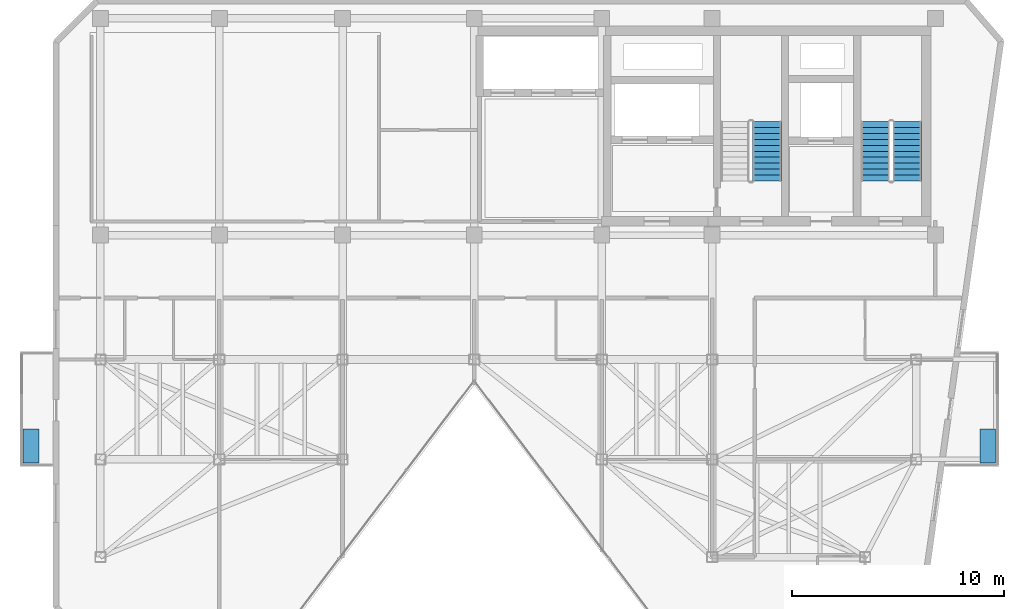
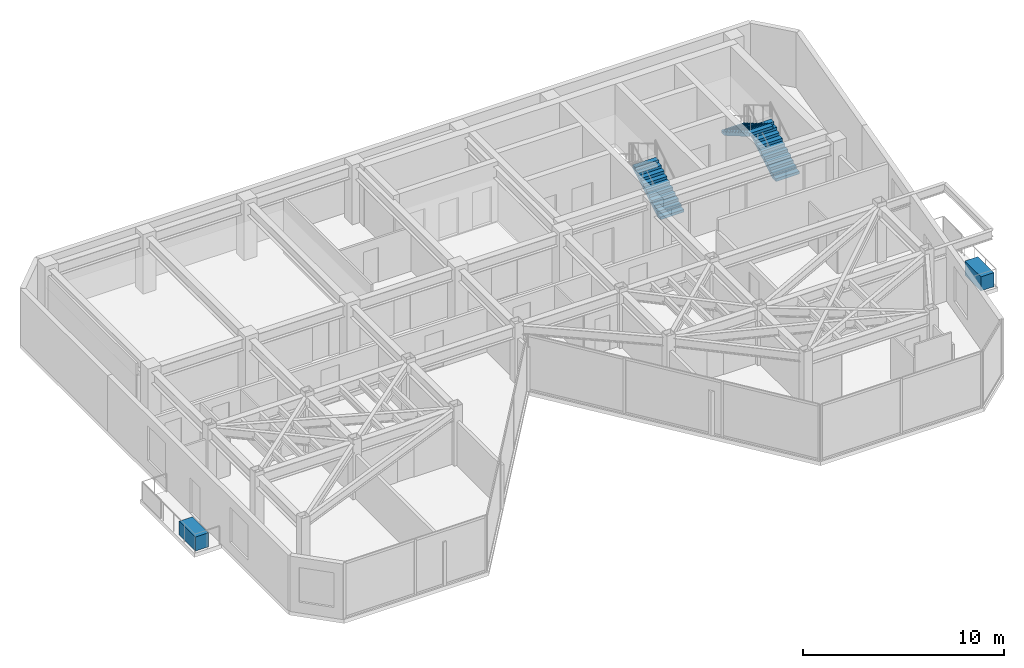
# One storey, part 15 of 17: 3 stair flights, 2 discrete accessories, 2 elements without a shape of their own.
"""IFC4 building model written with IfcOpenShell, lengths in metres."""

from ifc_helpers import new_model, si_unit, direction, frame, origin, origin_2d, place, context, subcontext, project, spatial, polyline, rectangle, outline, extrude, material, layer, layer_set, type_object, element, aggregate, save


model = new_model("IFC4")

# Units and contexts
model_context = context("Model", 3, precision=1e-05, world=origin(), true_north=direction((0.0, 1.0)))
body_context = subcontext(model_context, "Body", "Model", "MODEL_VIEW")
ifc_project = project(units=[si_unit("LENGTHUNIT", "METRE"), si_unit("AREAUNIT", "SQUARE_METRE"), si_unit("VOLUMEUNIT", "CUBIC_METRE"), si_unit("PLANEANGLEUNIT", "RADIAN"), si_unit("MASSUNIT", "GRAM", prefix="KILO")], contexts=[model_context])

# Site, building, storey
site_placement = place(None, origin())
site = spatial("IfcSite", under=ifc_project, at=site_placement, CompositionType="ELEMENT")
building_placement = place(site_placement, origin())
building = spatial("IfcBuilding", under=site, at=building_placement, Name="Kravanh Interchange Tower", CompositionType="ELEMENT")
storey_placement = place(building_placement, frame((0.0, 0.0, 256.199951171875)))
storey = spatial("IfcBuildingStorey", under=building, at=storey_placement, Name="L62", CompositionType="ELEMENT", Elevation=256.199951171875)

# Stair, stair flights
ifc_material_1 = material(Name="Concrete C50/60", Category="concrete")
stair_type = type_object("IfcStairType", Name="Core Fire Exit Dogleg Stair Concrete C50/60", PredefinedType="HALF_TURN_STAIR", material=ifc_material_1)
stair_1_placement = place(storey_placement, origin())
stair_1 = element("IfcStair", 1, at=stair_1_placement, inside=storey, type_object=stair_type, Name="L62 Exit Stair ST1", PredefinedType="HALF_TURN_STAIR")
ifc_material_2 = material(Name="Precast Concrete C50/60", Category="concrete")
ifc_layer = layer(ifc_material_2, 0.199951171875)
ifc_layer_set = layer_set([ifc_layer], Name="Precast Concrete C50/60 Stair Flight 1350mm")
stair_flight_type = type_object("IfcStairFlightType", Name="Precast Concrete C50/60 Stair Flight 1350mm", PredefinedType="STRAIGHT", material=ifc_layer_set)
stair_flight_1_placement = place(storey_placement, frame((65.175048828125, 39.89990234375, 0.0), z_axis=(0.0, 0.0, 1.0), x_axis=(0.0, 1.0, 0.0)))
stair_flight_1 = element("IfcStairFlight", 2, at=stair_flight_1_placement, type_object=stair_flight_type, Name="ST1 flight 1", NumberOfRisers=11, NumberOfTreads=10, PredefinedType="STRAIGHT", RiserHeight=0.163636364, TreadLength=0.28, context=body_context, shape_type="SweptSolid", body=[
    extrude(outline(polyline([(0.0, 0.0), (0.0, 0.16357421875), (0.280029296875, 0.16357421875), (0.280029296875, 0.327392578125), (0.56005859375, 0.327392578125), (0.56005859375, 0.490966796875), (0.840087890625, 0.490966796875), (0.840087890625, 0.654541015625), (1.1201171875, 0.654541015625), (1.1201171875, 0.818115234375), (1.39990234375, 0.818115234375), (1.39990234375, 0.98193359375), (1.679931640625, 0.98193359375), (1.679931640625, 1.1455078125), (1.9599609375, 1.1455078125), (1.9599609375, 1.30908203125), (2.239990234375, 1.30908203125), (2.239990234375, 1.47265625), (2.52001953125, 1.47265625), (2.52001953125, 1.636474609375), (2.800048828125, 1.636474609375), (2.800048828125, 1.800048828125), (2.800048828125, 1.462646484375), (0.297119140625, 0.0), (0.0, 0.0)])), frame((0.0, 0.675048828125, 0.0), z_axis=(0.0, -1.0, 0.0), x_axis=(1.0, 0.0, 0.0)), (0.0, 0.0, 1.0), 1.35009765625),
])
stair_flight_2_placement = place(storey_placement, frame((63.675048828125, 42.699951171875, 1.800048828125), z_axis=(0.0, 0.0, 1.0), x_axis=(0.0, -1.0, 0.0)))
stair_flight_2 = element("IfcStairFlight", 3, at=stair_flight_2_placement, type_object=stair_flight_type, Name="ST1 flight 2", NumberOfRisers=11, NumberOfTreads=10, PredefinedType="STRAIGHT", RiserHeight=0.163636364, TreadLength=0.28, context=body_context, shape_type="SweptSolid", body=[
    extrude(outline(polyline([(0.0, 0.0), (0.0, 0.16357421875), (0.280029296875, 0.16357421875), (0.280029296875, 0.327392578125), (0.56005859375, 0.327392578125), (0.56005859375, 0.490966796875), (0.840087890625, 0.490966796875), (0.840087890625, 0.654541015625), (1.1201171875, 0.654541015625), (1.1201171875, 0.818115234375), (1.39990234375, 0.818115234375), (1.39990234375, 0.98193359375), (1.679931640625, 0.98193359375), (1.679931640625, 1.1455078125), (1.9599609375, 1.1455078125), (1.9599609375, 1.30908203125), (2.239990234375, 1.30908203125), (2.239990234375, 1.47265625), (2.52001953125, 1.47265625), (2.52001953125, 1.636474609375), (2.800048828125, 1.636474609375), (2.800048828125, 1.800048828125), (2.800048828125, 1.462646484375), (0.297119140625, 0.0), (0.0, 0.0)])), frame((0.0, 0.675048828125, 0.0), z_axis=(0.0, -1.0, 0.0), x_axis=(1.0, 0.0, 0.0)), (0.0, 0.0, 1.0), 1.35009765625),
])
aggregate(stair_1, [stair_flight_1, stair_flight_2])

# Stair, stair flight
stair_2_placement = place(storey_placement, origin())
stair_2 = element("IfcStair", 4, at=stair_2_placement, inside=storey, type_object=stair_type, Name="L62 Exit Stair ST2", PredefinedType="HALF_TURN_STAIR")
stair_flight_3_placement = place(storey_placement, frame((58.574951171875, 39.89990234375, 0.0), z_axis=(0.0, 0.0, 1.0), x_axis=(0.0, 1.0, 0.0)))
stair_flight_3 = element("IfcStairFlight", 5, at=stair_flight_3_placement, type_object=stair_flight_type, Name="ST2 flight 1", NumberOfRisers=11, NumberOfTreads=10, PredefinedType="STRAIGHT", RiserHeight=0.163636364, TreadLength=0.28, context=body_context, shape_type="SweptSolid", body=[
    extrude(outline(polyline([(0.0, 0.0), (0.0, 0.16357421875), (0.280029296875, 0.16357421875), (0.280029296875, 0.327392578125), (0.56005859375, 0.327392578125), (0.56005859375, 0.490966796875), (0.840087890625, 0.490966796875), (0.840087890625, 0.654541015625), (1.1201171875, 0.654541015625), (1.1201171875, 0.818115234375), (1.39990234375, 0.818115234375), (1.39990234375, 0.98193359375), (1.679931640625, 0.98193359375), (1.679931640625, 1.1455078125), (1.9599609375, 1.1455078125), (1.9599609375, 1.30908203125), (2.239990234375, 1.30908203125), (2.239990234375, 1.47265625), (2.52001953125, 1.47265625), (2.52001953125, 1.636474609375), (2.800048828125, 1.636474609375), (2.800048828125, 1.800048828125), (2.800048828125, 1.462646484375), (0.297119140625, 0.0), (0.0, 0.0)])), frame((0.0, 0.675048828125, 0.0), z_axis=(0.0, -1.0, 0.0), x_axis=(1.0, 0.0, 0.0)), (0.0, 0.0, 1.0), 1.35009765625),
])
aggregate(stair_2, [stair_flight_3])

# Discrete accessories
ifc_material_3 = material(Name="Architectural GRC Concrete C40/50 with Root Barrier", Category="concrete")
discrete_accessory_type = type_object("IfcDiscreteAccessoryType", Name="Structural Balcony Tree Planter Box Concrete C40/50 1600x750x850", PredefinedType="USERDEFINED", material=ifc_material_3)
for number, where, z_axis, x_axis, name in (
    (6, (68.969970703125, 27.419921875, 0.0), (0.0, 0.0, 1.0), (1.0, 0.0, 0.0), "L62 E Balcony TREE PLANTER"),
    (7, (23.93994140625, 27.419921875, 0.0), (0.0, 0.0, 1.0), (1.0, 0.0, 0.0), "L62 W Balcony TREE PLANTER"),
):
    element("IfcDiscreteAccessory", number, at=place(storey_placement, frame(where, z_axis=z_axis, x_axis=x_axis)), inside=storey, type_object=discrete_accessory_type, Name=name, ObjectType="PLANTER", PredefinedType="USERDEFINED", context=body_context, shape_type="SweptSolid", body=[
        extrude(rectangle(XDim=0.75, YDim=1.60009765625, at=origin_2d()), origin(), (0.0, 0.0, 1.0), 0.85009765625),
    ])

save(model, "model.ifc")
